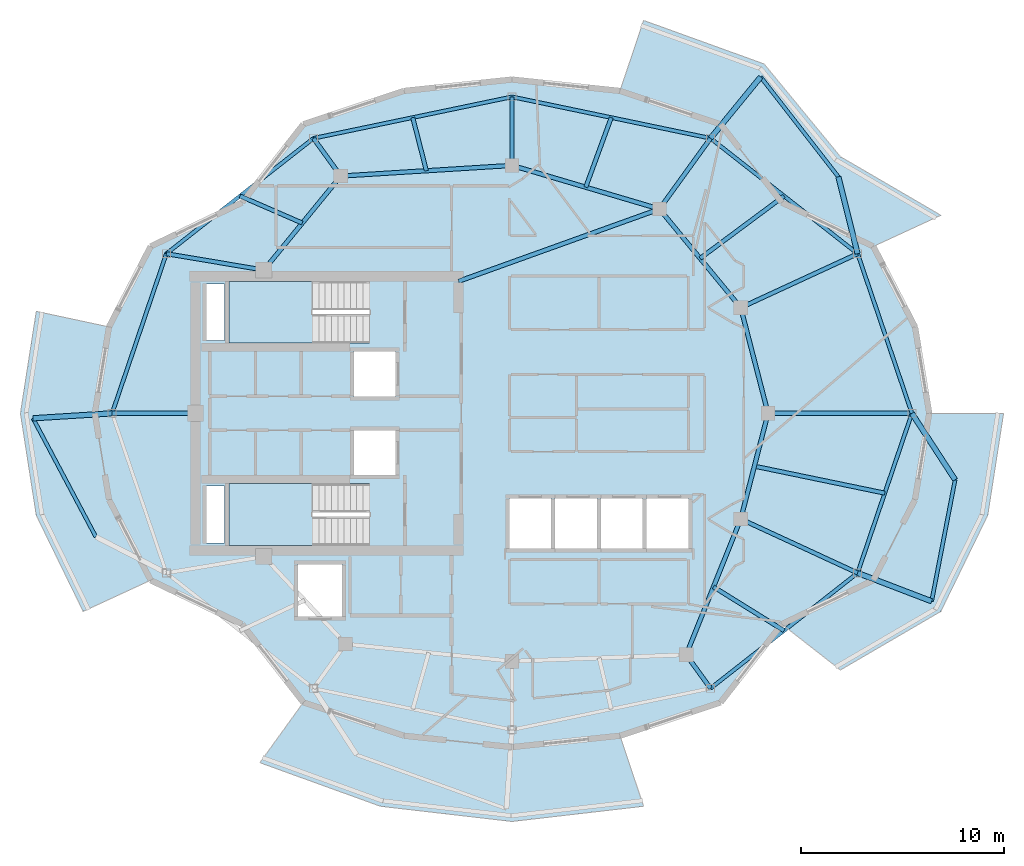
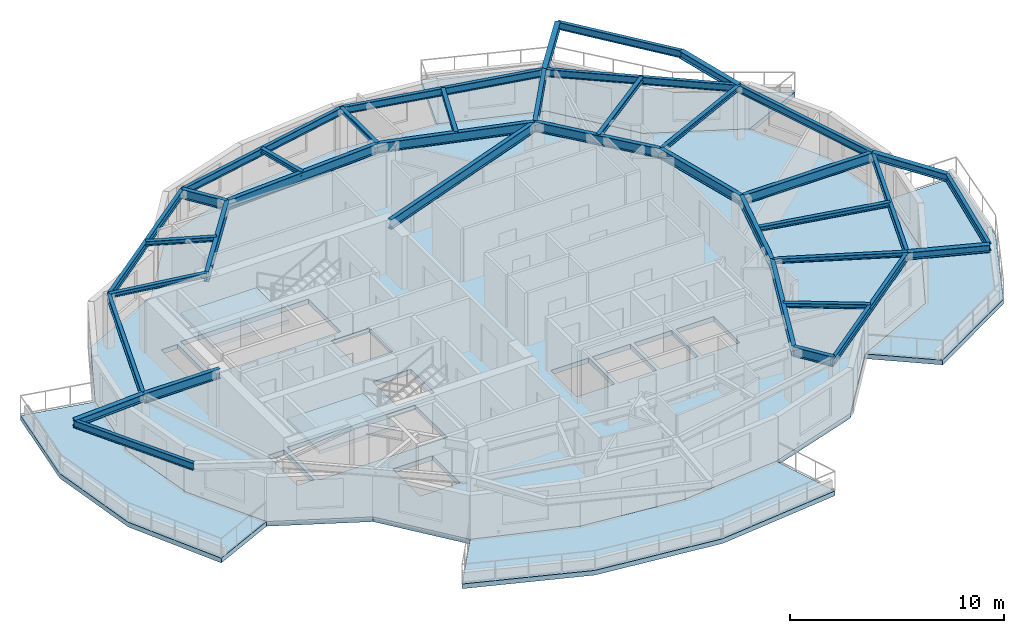
# One storey, part 2 of 11: 39 beams, 7 slabs, 2 elements without a shape of their own.
"""IFC4 building model written with IfcOpenShell, lengths in metres."""

import ifcopenshell
import ifcopenshell.guid

model = None  # the IFC model being written
_history = None  # IfcOwnerHistory: only IFC2X3 demands one
_inside = {}  # id of a spatial element -> (the spatial element, [elements in it])
_under = {}  # id of a project, library or spatial element -> (it, [spatial elements below it])
_declared = {}  # id of a project -> (the project, [libraries it declares])
_typed = {}  # id of a type object -> (the type object, [elements of that type])
_made_of = {}  # id of a material, layer set ... -> (it, [elements and type objects made of it])


def new_model(schema):
    """Start an empty IFC model of exactly this schema.

    Asked for "IFC4X3", IfcOpenShell would pick the latest addendum, in which some entities
    have other attributes; the version numbers below select the first issue.
    IFC2X3 requires an IfcOwnerHistory on every rooted entity: one is made here for all.
    """
    global model, _history
    if schema == "IFC4X3":
        model = ifcopenshell.file(schema_version=(4, 3, 0, 0))
    else:
        model = ifcopenshell.file(schema=schema)
    _inside.clear()
    _under.clear()
    _declared.clear()
    _typed.clear()
    _made_of.clear()
    _history = None
    if model.schema == "IFC2X3":
        org = make("IfcOrganization", Name="unknown")
        user = make(
            "IfcPersonAndOrganization",
            ThePerson=make("IfcPerson", FamilyName="unknown"),
            TheOrganization=org,
        )
        app = make(
            "IfcApplication",
            ApplicationDeveloper=org,
            Version="unknown",
            ApplicationFullName="unknown",
            ApplicationIdentifier="unknown",
        )
        _history = make(
            "IfcOwnerHistory",
            OwningUser=user,
            OwningApplication=app,
            ChangeAction="ADDED",
            CreationDate=0,
        )
    return model


def make(cls, **values):
    """One entity of the class cls with the attributes given. An attribute that is None is left unset."""
    return model.create_entity(
        cls, **{name: value for name, value in values.items() if value is not None}
    )


def rooted(cls, **values):
    """An entity with a GlobalId (a new one), such as an element, a storey or a relation."""
    return make(cls, GlobalId=ifcopenshell.guid.new(), OwnerHistory=_history, **values)


def si_unit(unit_type, name, prefix=None):
    """IfcSIUnit, for example si_unit("LENGTHUNIT", "METRE", prefix="MILLI")."""
    return make("IfcSIUnit", UnitType=unit_type, Prefix=prefix, Name=name)


def assignment(units):
    """IfcUnitAssignment: the units of a project."""
    return None if units is None else make("IfcUnitAssignment", Units=units)


def point(xyz):
    """IfcCartesianPoint."""
    return None if xyz is None else make("IfcCartesianPoint", Coordinates=xyz)


def direction(xyz):
    """IfcDirection."""
    return None if xyz is None else make("IfcDirection", DirectionRatios=xyz)


def frame(location, z_axis=None, x_axis=None):
    """IfcAxis2Placement3D, a coordinate frame: its origin and axes. An axis left out is left unset."""
    return make(
        "IfcAxis2Placement3D",
        Location=point(location),
        Axis=direction(z_axis),
        RefDirection=direction(x_axis),
    )


def frame_2d(location, x_axis=None):
    """IfcAxis2Placement2D, a coordinate frame in the plane: its origin and x axis."""
    return make(
        "IfcAxis2Placement2D", Location=point(location), RefDirection=direction(x_axis)
    )


def origin():
    """The frame at (0, 0, 0) with its axes left unset."""
    return frame((0.0, 0.0, 0.0))


def origin_2d():
    """The frame at (0, 0) in the plane with its x axis left unset."""
    return frame_2d((0.0, 0.0))


def place(relative_to, where):
    """IfcLocalPlacement: puts the frame where relative to a parent placement (None: the world)."""
    return make(
        "IfcLocalPlacement", PlacementRelTo=relative_to, RelativePlacement=where
    )


def context(
    kind, dimensions, precision=None, world=None, true_north=None, identifier=None
):
    """IfcGeometricRepresentationContext, for example the 3D "Model" context."""
    return make(
        "IfcGeometricRepresentationContext",
        ContextIdentifier=identifier,
        ContextType=kind,
        CoordinateSpaceDimension=dimensions,
        Precision=precision,
        WorldCoordinateSystem=world,
        TrueNorth=true_north,
    )


def subcontext(parent, identifier, kind, view, scale=None):
    """IfcGeometricRepresentationSubContext, for example "Body" below "Model"."""
    return make(
        "IfcGeometricRepresentationSubContext",
        ContextIdentifier=identifier,
        ContextType=kind,
        ParentContext=parent,
        TargetScale=scale,
        TargetView=view,
    )


def project(units=None, contexts=None):
    """IfcProject with its units and contexts."""
    return rooted(
        "IfcProject",
        Name="project",
        RepresentationContexts=contexts,
        UnitsInContext=assignment(units),
    )


def spatial(cls, under=None, at=None, **own):
    """A site, building, storey or space (cls), placed at a placement, below another one or the project."""
    s = rooted(cls, ObjectPlacement=at, **own)
    if under is not None:
        _under.setdefault(under.id(), (under, []))[1].append(s)
    return s


def polyline(points):
    """IfcPolyline through the points."""
    return make("IfcPolyline", Points=[point(p) for p in points])


def profile(cls, at=None, kind="AREA", **sizes):
    """A parametric profile (cls). Its sizes go by their IFC names, for example OverallWidth=200.0."""
    return make(cls, ProfileType=kind, Position=at, **sizes)


def i_section(**sizes):
    """IfcIShapeProfileDef."""
    return profile("IfcIShapeProfileDef", **sizes)


def outline(outer, holes=None, kind="AREA"):
    """IfcArbitraryClosedProfileDef: a profile drawn as a closed curve; with holes, ...WithVoids."""
    if holes is None:
        return make("IfcArbitraryClosedProfileDef", ProfileType=kind, OuterCurve=outer)
    return make(
        "IfcArbitraryProfileDefWithVoids",
        ProfileType=kind,
        OuterCurve=outer,
        InnerCurves=holes,
    )


def extrude(swept, where, along, depth):
    """IfcExtrudedAreaSolid: the profile swept, set in the frame where, extruded along a direction by depth."""
    return make(
        "IfcExtrudedAreaSolid",
        SweptArea=swept,
        Position=where,
        ExtrudedDirection=direction(along),
        Depth=depth,
    )


def shape(context_of_items, identifier, shape_type, items):
    """IfcShapeRepresentation: the items that make up one representation, for example the "Body"."""
    return make(
        "IfcShapeRepresentation",
        ContextOfItems=context_of_items,
        RepresentationIdentifier=identifier,
        RepresentationType=shape_type,
        Items=items,
    )


def material(Name=None, Category=None):
    """IfcMaterial."""
    return make("IfcMaterial", Name=Name, Category=Category)


def layer(
    of_material, thickness, ventilated=None, Name=None, Category=None, Priority=None
):
    """IfcMaterialLayer: one layer of a wall or slab, of a material (None: an air gap)."""
    return make(
        "IfcMaterialLayer",
        Material=of_material,
        LayerThickness=thickness,
        IsVentilated=ventilated,
        Name=Name,
        Category=Category,
        Priority=Priority,
    )


def layer_set(layers, Name=None):
    """IfcMaterialLayerSet."""
    return make("IfcMaterialLayerSet", MaterialLayers=layers, LayerSetName=Name)


def material_profile(
    of_material, cross_section, Name=None, Category=None, Priority=None
):
    """IfcMaterialProfile: a cross section and its material."""
    return make(
        "IfcMaterialProfile",
        Name=Name,
        Material=of_material,
        Profile=cross_section,
        Priority=Priority,
        Category=Category,
    )


def profile_set(profiles, Name=None, composite=None):
    """IfcMaterialProfileSet."""
    return make(
        "IfcMaterialProfileSet",
        Name=Name,
        MaterialProfiles=profiles,
        CompositeProfile=composite,
    )


def made_of(thing, what):
    """Note that an element or type object is made of a material, layer set ...; save() writes the relation."""
    if what is not None:
        _made_of.setdefault(what.id(), (what, []))[1].append(thing)
    return thing


def type_object(cls, material=None, **own):
    """A type object (cls), such as IfcWallType, which elements share."""
    return made_of(rooted(cls, **own), material)


def element(
    cls,
    number,
    at=None,
    inside=None,
    cuts=None,
    type_object=None,
    material=None,
    context=None,
    identifier="Body",
    shape_type=None,
    held_by="IfcProductDefinitionShape",
    body=None,
    shapes=None,
    **own,
):
    """One element of the class cls, such as IfcWall. Its Tag is "e" and its number.

    at: its placement. inside: the storey or other place that contains it. cuts: it is an
    opening in that element (IfcRelVoidsElement). A single representation is given by context,
    identifier, shape_type and body (its items); several are given by shapes. held_by: the class
    of the entity that holds the representations. save() writes the other relations.
    """
    e = rooted(cls, Tag="e%d" % number, ObjectPlacement=at, **own)
    if body is not None:
        shapes = [shape(context, identifier, shape_type, body)]
    if shapes is not None:
        e.Representation = make(held_by, Representations=shapes)
    if inside is not None:
        _inside.setdefault(inside.id(), (inside, []))[1].append(e)
    if cuts is not None:
        rooted(
            "IfcRelVoidsElement", RelatingBuildingElement=cuts, RelatedOpeningElement=e
        )
    if type_object is not None:
        _typed.setdefault(type_object.id(), (type_object, []))[1].append(e)
    return made_of(e, material)


def aggregate(whole, parts):
    """IfcRelAggregates: a whole, such as a stair, and the parts it consists of."""
    return rooted("IfcRelAggregates", RelatingObject=whole, RelatedObjects=parts)


def save(model, path):
    """Write the relations noted so far, then the file.

    IfcRelAggregates (storeys below a building ...), IfcRelContainedInSpatialStructure (elements
    in a storey), IfcRelDefinesByType, IfcRelAssociatesMaterial and IfcRelDeclares: one each for
    every whole, place, type object, material and project.
    """
    for whole, parts in _under.values():
        aggregate(whole, parts)
    for where, things in _inside.values():
        rooted(
            "IfcRelContainedInSpatialStructure",
            RelatedElements=things,
            RelatingStructure=where,
        )
    for kind, things in _typed.values():
        rooted("IfcRelDefinesByType", RelatedObjects=things, RelatingType=kind)
    for what, things in _made_of.values():
        rooted("IfcRelAssociatesMaterial", RelatedObjects=things, RelatingMaterial=what)
    for by, libraries in _declared.values():
        rooted("IfcRelDeclares", RelatingContext=by, RelatedDefinitions=libraries)
    model.write(path)


model = new_model("IFC4")

# Units and contexts
model_context = context("Model", 3, precision=1e-05, world=origin(), true_north=direction((0.0, 1.0)))
body_context = subcontext(model_context, "Body", "Model", "MODEL_VIEW")
ifc_project = project(units=[si_unit("LENGTHUNIT", "METRE"), si_unit("AREAUNIT", "SQUARE_METRE"), si_unit("VOLUMEUNIT", "CUBIC_METRE"), si_unit("PLANEANGLEUNIT", "RADIAN"), si_unit("MASSUNIT", "GRAM", prefix="KILO")], contexts=[model_context])

# Site, building, storey
site_placement = place(None, origin())
site = spatial("IfcSite", under=ifc_project, at=site_placement, CompositionType="ELEMENT")
building_placement = place(site_placement, origin())
building = spatial("IfcBuilding", under=site, at=building_placement, Name="Kolvaren Gate Tower and Convention Centre", CompositionType="ELEMENT")
storey_placement = place(building_placement, frame((0.0, 0.0, 262.39990234375)))
storey = spatial("IfcBuildingStorey", under=building, at=storey_placement, Name="L71", CompositionType="ELEMENT", Elevation=262.39990234375)

# Beams
ifc_material_1 = material(Name="Structural steel ASTM A992 Grade 345 MPa", Category="steel")
ifc_material_profile_1 = material_profile(ifc_material_1, i_section(OverallWidth=0.260009765625, OverallDepth=0.419921875, WebThickness=0.013427734375, FlangeThickness=0.0224609375, at=origin_2d()), Name="W410X132")
ifc_profile_set_1 = profile_set([ifc_material_profile_1], Name="Structural steel ASTM A992 Grade 345 MPa")
beam_type_1 = type_object("IfcBeamType", Name="STR-BM-W410X132", PredefinedType="BEAM", material=ifc_profile_set_1)
beam_1_placement = place(storey_placement, frame((47.1337890625, 34.856201171875, 2.820556640625), z_axis=(-0.243021682146, 0.97002085648, 0.0), x_axis=(-0.97002085648, -0.243021682146, 0.0)))
element("IfcBeam", 1, at=beam_1_placement, inside=storey, type_object=beam_type_1, Name="Tower L72 Planted Balcony Outrigger Cantilever BC-1A", PredefinedType="BEAM", context=body_context, shape_type="SweptSolid", body=[
    extrude(i_section(OverallWidth=0.260009765625, OverallDepth=0.419921875, WebThickness=0.013427734375, FlangeThickness=0.0224609375, at=origin_2d()), origin(), (0.0, 0.0, 1.0), 3.89990234375),
])
beam_2_placement = place(storey_placement, frame((39.893310546875, 40.53515625, 2.820556640625), z_axis=(0.633305964055, 0.773901515629, 0.0), x_axis=(-0.773901515629, 0.633305964055, 0.0)))
element("IfcBeam", 2, at=beam_2_placement, inside=storey, type_object=beam_type_1, Name="Tower L72 Planted Balcony Outrigger Cantilever BC-1B", PredefinedType="BEAM", context=body_context, shape_type="SweptSolid", body=[
    extrude(i_section(OverallWidth=0.260009765625, OverallDepth=0.419921875, WebThickness=0.013427734375, FlangeThickness=0.0224609375, at=origin_2d()), origin(), (0.0, 0.0, 1.0), 3.900146484375),
])
for number, where, z_axis, x_axis, name in (
    (3, (10.44384765625, 27.0, 2.820556640625), (-0.998046484143, -0.062475719198, 0.0), (0.062475719198, -0.998046484143, 0.0), "Tower L72 Planted Balcony Outrigger Cantilever BC-2A"),
    (4, (47.1337890625, 19.143798828125, 2.820556640625), (0.933954141343, -0.35739286768, 0.0), (0.35739286768, 0.933954141343, 0.0), "Tower L72 Planted Balcony Outrigger Cantilever BC-4A"),
):
    element("IfcBeam", number, at=place(storey_placement, frame(where, z_axis=z_axis, x_axis=x_axis)), inside=storey, type_object=beam_type_1, Name=name, PredefinedType="BEAM", context=body_context, shape_type="SweptSolid", body=[
        extrude(i_section(OverallWidth=0.260009765625, OverallDepth=0.419921875, WebThickness=0.013427734375, FlangeThickness=0.0224609375, at=origin_2d()), origin(), (0.0, 0.0, 1.0), 3.89990234375),
    ])
beam_3_placement = place(storey_placement, frame((49.80615234375, 27.0, 2.820556640625), z_axis=(0.544794709784, -0.838569451024, 0.0), x_axis=(0.838569451024, 0.544794709784, 0.0)))
element("IfcBeam", 5, at=beam_3_placement, inside=storey, type_object=beam_type_1, Name="Tower L72 Planted Balcony Outrigger Cantilever BC-4B", PredefinedType="BEAM", context=body_context, shape_type="SweptSolid", body=[
    extrude(i_section(OverallWidth=0.260009765625, OverallDepth=0.419921875, WebThickness=0.013427734375, FlangeThickness=0.0224609375, at=origin_2d()), origin(), (0.0, 0.0, 1.0), 3.900146484375),
])
ifc_material_profile_2 = material_profile(ifc_material_1, i_section(OverallWidth=0.2119140625, OverallDepth=0.5439453125, WebThickness=0.01318359375, FlangeThickness=0.021240234375, at=origin_2d()), Name="W530X123")
ifc_profile_set_2 = profile_set([ifc_material_profile_2], Name="Structural steel ASTM A992 Grade 345 MPa")
beam_type_2 = type_object("IfcBeamType", Name="STR-BM-W530X123", PredefinedType="BEAM", material=ifc_profile_set_2)
beam_4_placement = place(storey_placement, frame((42.72509765625, 27.0, 2.758056640625), z_axis=(-0.250091133936, -0.968222301296, 0.0), x_axis=(0.968222301296, -0.250091133936, 0.0)))
element("IfcBeam", 6, at=beam_4_placement, inside=storey, type_object=beam_type_2, Name="Tower L71 Primary Ring Girder G-01", PredefinedType="BEAM", context=body_context, shape_type="SweptSolid", body=[
    extrude(i_section(OverallWidth=0.2119140625, OverallDepth=0.5439453125, WebThickness=0.01318359375, FlangeThickness=0.021240234375, at=origin_2d()), origin(), (0.0, 0.0, 1.0), 5.3701171875),
])
beam_5_placement = place(storey_placement, frame((41.382080078125, 32.199462890625, 2.758056640625), z_axis=(-0.635884066011, 0.771784590798, 0.0), x_axis=(-0.771784590798, -0.635884066011, 0.0)))
element("IfcBeam", 7, at=beam_5_placement, inside=storey, type_object=beam_type_2, Name="Tower L71 Primary Ring Girder G-02", PredefinedType="BEAM", context=body_context, shape_type="SweptSolid", body=[
    extrude(i_section(OverallWidth=0.2119140625, OverallDepth=0.5439453125, WebThickness=0.01318359375, FlangeThickness=0.021240234375, at=origin_2d()), origin(), (0.0, 0.0, 1.0), 6.291259765625),
])
beam_6_placement = place(storey_placement, frame((37.381591796875, 37.054931640625, 2.758056640625), z_axis=(-0.958980837827, 0.283470902706, 0.0), x_axis=(-0.283470902706, -0.958980837827, 0.0)))
element("IfcBeam", 8, at=beam_6_placement, inside=storey, type_object=beam_type_2, Name="Tower L71 Primary Ring Girder G-03", PredefinedType="BEAM", context=body_context, shape_type="SweptSolid", body=[
    extrude(i_section(OverallWidth=0.2119140625, OverallDepth=0.5439453125, WebThickness=0.01318359375, FlangeThickness=0.021240234375, at=origin_2d()), origin(), (0.0, 0.0, 1.0), 7.56689453125),
])
beam_7_placement = place(storey_placement, frame((30.125, 39.199951171875, 2.758056640625), z_axis=(-0.998078258568, -0.06196603726, 0.0), x_axis=(0.06196603726, -0.998078258568, 0.0)))
element("IfcBeam", 9, at=beam_7_placement, inside=storey, type_object=beam_type_2, Name="Tower L71 Primary Ring Girder G-04", PredefinedType="BEAM", context=body_context, shape_type="SweptSolid", body=[
    extrude(i_section(OverallWidth=0.2119140625, OverallDepth=0.5439453125, WebThickness=0.01318359375, FlangeThickness=0.021240234375, at=origin_2d()), origin(), (0.0, 0.0, 1.0), 8.443115234375),
])
beam_8_placement = place(storey_placement, frame((21.697998046875, 38.6767578125, 2.758056640625), z_axis=(-0.633082074904, -0.774084676528, 0.0), x_axis=(0.774084676528, -0.633082074904, 0.0)))
element("IfcBeam", 10, at=beam_8_placement, inside=storey, type_object=beam_type_2, Name="Tower L71 Primary Ring Girder G-05", PredefinedType="BEAM", context=body_context, shape_type="SweptSolid", body=[
    extrude(i_section(OverallWidth=0.2119140625, OverallDepth=0.5439453125, WebThickness=0.01318359375, FlangeThickness=0.021240234375, at=origin_2d()), origin(), (0.0, 0.0, 1.0), 5.97705078125),
])
beam_9_placement = place(storey_placement, frame((38.6982421875, 15.12060546875, 2.758056640625), z_axis=(0.372811100169, 0.927907260232, 0.0), x_axis=(-0.927907260232, 0.372811100169, 0.0)))
element("IfcBeam", 11, at=beam_9_placement, inside=storey, type_object=beam_type_2, Name="Tower L71 Primary Ring Girder G-09", PredefinedType="BEAM", context=body_context, shape_type="SweptSolid", body=[
    extrude(i_section(OverallWidth=0.2119140625, OverallDepth=0.5439453125, WebThickness=0.01318359375, FlangeThickness=0.021240234375, at=origin_2d()), origin(), (0.0, 0.0, 1.0), 7.198974609375),
])
beam_10_placement = place(storey_placement, frame((27.5, 33.5, 2.758056640625), z_axis=(0.940961479908, 0.338513653093, 0.0), x_axis=(-0.338513653093, 0.940961479908, 0.0)))
element("IfcBeam", 12, at=beam_10_placement, inside=storey, type_object=beam_type_2, Name="Tower L71 Primary Ring Girder G-10", PredefinedType="BEAM", context=body_context, shape_type="SweptSolid", body=[
    extrude(i_section(OverallWidth=0.2119140625, OverallDepth=0.5439453125, WebThickness=0.01318359375, FlangeThickness=0.021240234375, at=origin_2d()), origin(), (0.0, 0.0, 1.0), 10.501708984375),
])
beam_11_placement = place(storey_placement, frame((42.72509765625, 27.0, 2.758056640625), z_axis=(-0.250091133936, 0.968222301296, 0.0), x_axis=(-0.968222301296, -0.250091133936, 0.0)))
element("IfcBeam", 13, at=beam_11_placement, inside=storey, type_object=beam_type_2, Name="Tower L71 Primary Ring Girder G-12", PredefinedType="BEAM", context=body_context, shape_type="SweptSolid", body=[
    extrude(i_section(OverallWidth=0.2119140625, OverallDepth=0.5439453125, WebThickness=0.01318359375, FlangeThickness=0.021240234375, at=origin_2d()), origin(), (0.0, 0.0, 1.0), 5.3701171875),
])
beam_12_placement = place(storey_placement, frame((42.72509765625, 27.0, 2.758056640625), z_axis=(1.0, 0.0, 0.0), x_axis=(0.0, 1.0, 0.0)))
element("IfcBeam", 14, at=beam_12_placement, inside=storey, type_object=beam_type_2, Name="Tower L71 Radial Floor Girder RB-01", PredefinedType="BEAM", context=body_context, shape_type="SweptSolid", body=[
    extrude(i_section(OverallWidth=0.2119140625, OverallDepth=0.5439453125, WebThickness=0.01318359375, FlangeThickness=0.021240234375, at=origin_2d()), origin(), (0.0, 0.0, 1.0), 7.0810546875),
])
beam_13_placement = place(storey_placement, frame((37.381591796875, 37.054931640625, 2.758056640625), z_axis=(0.585218448818, 0.810875679228, 0.0), x_axis=(-0.810875679228, 0.585218448818, 0.0)))
element("IfcBeam", 15, at=beam_13_placement, inside=storey, type_object=beam_type_2, Name="Tower L71 Radial Floor Girder RB-03", PredefinedType="BEAM", context=body_context, shape_type="SweptSolid", body=[
    extrude(i_section(OverallWidth=0.2119140625, OverallDepth=0.5439453125, WebThickness=0.01318359375, FlangeThickness=0.021240234375, at=origin_2d()), origin(), (0.0, 0.0, 1.0), 4.2919921875),
])
beam_14_placement = place(storey_placement, frame((21.697998046875, 38.6767578125, 2.758056640625), z_axis=(-0.585241610653, 0.810858962558, 0.0), x_axis=(-0.810858962558, -0.585241610653, 0.0)))
element("IfcBeam", 16, at=beam_14_placement, inside=storey, type_object=beam_type_2, Name="Tower L71 Radial Floor Girder RB-05", PredefinedType="BEAM", context=body_context, shape_type="SweptSolid", body=[
    extrude(i_section(OverallWidth=0.2119140625, OverallDepth=0.5439453125, WebThickness=0.01318359375, FlangeThickness=0.021240234375, at=origin_2d()), origin(), (0.0, 0.0, 1.0), 2.2919921875),
])
beam_15_placement = place(storey_placement, frame((14.550048828125, 27.0, 2.758056640625), z_axis=(-1.0, 0.0, 0.0), x_axis=(0.0, -1.0, 0.0)))
element("IfcBeam", 17, at=beam_15_placement, inside=storey, type_object=beam_type_2, Name="Tower L71 Radial Floor Girder RB-07", PredefinedType="BEAM", context=body_context, shape_type="SweptSolid", body=[
    extrude(i_section(OverallWidth=0.2119140625, OverallDepth=0.5439453125, WebThickness=0.01318359375, FlangeThickness=0.021240234375, at=origin_2d()), origin(), (0.0, 0.0, 1.0), 4.106201171875),
])
beam_16_placement = place(storey_placement, frame((38.6982421875, 15.12060546875, 2.758056640625), z_axis=(0.585246071944, -0.810855742579, 0.0), x_axis=(0.810855742579, 0.585246071944, 0.0)))
element("IfcBeam", 18, at=beam_16_placement, inside=storey, type_object=beam_type_2, Name="Tower L71 Radial Floor Girder RB-11", PredefinedType="BEAM", context=body_context, shape_type="SweptSolid", body=[
    extrude(i_section(OverallWidth=0.2119140625, OverallDepth=0.5439453125, WebThickness=0.01318359375, FlangeThickness=0.021240234375, at=origin_2d()), origin(), (0.0, 0.0, 1.0), 2.0419921875),
])
ifc_material_profile_3 = material_profile(ifc_material_1, i_section(OverallWidth=0.202880859375, OverallDepth=0.251953125, WebThickness=0.008056640625, FlangeThickness=0.013427734375, at=origin_2d()), Name="W250X58")
ifc_profile_set_3 = profile_set([ifc_material_profile_3], Name="Structural steel ASTM A992 Grade 345 MPa")
beam_type_3 = type_object("IfcBeamType", Name="STR-JS-W250X58", PredefinedType="JOIST", material=ifc_profile_set_3)
beam_17_placement = place(storey_placement, frame((41.382080078125, 32.199462890625, 2.904052734375), z_axis=(0.907833025456, 0.41933184698, 0.0), x_axis=(-0.41933184698, 0.907833025456, 0.0)))
element("IfcBeam", 19, at=beam_17_placement, inside=storey, type_object=beam_type_3, Name="Tower L71 Radial Floor Girder RB-02", PredefinedType="JOIST", context=body_context, shape_type="SweptSolid", body=[
    extrude(i_section(OverallWidth=0.202880859375, OverallDepth=0.251953125, WebThickness=0.008056640625, FlangeThickness=0.013427734375, at=origin_2d()), origin(), (0.0, 0.0, 1.0), 6.335693359375),
])
beam_18_placement = place(storey_placement, frame((30.125, 39.199951171875, 2.904052734375), z_axis=(0.0, 1.0, 0.0), x_axis=(-1.0, 0.0, 0.0)))
element("IfcBeam", 20, at=beam_18_placement, inside=storey, type_object=beam_type_3, Name="Tower L71 Radial Floor Girder RB-04", PredefinedType="JOIST", context=body_context, shape_type="SweptSolid", body=[
    extrude(i_section(OverallWidth=0.202880859375, OverallDepth=0.251953125, WebThickness=0.008056640625, FlangeThickness=0.013427734375, at=origin_2d()), origin(), (0.0, 0.0, 1.0), 3.375),
])
beam_19_placement = place(storey_placement, frame((17.9140625, 34.050048828125, 2.904052734375), z_axis=(-0.986176061403, 0.165700862749, 0.0), x_axis=(-0.165700862749, -0.986176061403, 0.0)))
element("IfcBeam", 21, at=beam_19_placement, inside=storey, type_object=beam_type_3, Name="Tower L71 Radial Floor Girder RB-06", PredefinedType="JOIST", context=body_context, shape_type="SweptSolid", body=[
    extrude(i_section(OverallWidth=0.202880859375, OverallDepth=0.251953125, WebThickness=0.008056640625, FlangeThickness=0.013427734375, at=origin_2d()), origin(), (0.0, 0.0, 1.0), 4.864990234375),
])
beam_20_placement = place(storey_placement, frame((41.382080078125, 21.800537109375, 2.904052734375), z_axis=(0.907833025456, -0.41933184698, 0.0), x_axis=(0.41933184698, 0.907833025456, 0.0)))
element("IfcBeam", 22, at=beam_20_placement, inside=storey, type_object=beam_type_3, Name="Tower L71 Radial Floor Girder RB-12", PredefinedType="JOIST", context=body_context, shape_type="SweptSolid", body=[
    extrude(i_section(OverallWidth=0.202880859375, OverallDepth=0.251953125, WebThickness=0.008056640625, FlangeThickness=0.013427734375, at=origin_2d()), origin(), (0.0, 0.0, 1.0), 6.335693359375),
])
beam_21_placement = place(storey_placement, frame((39.3818359375, 34.627197265625, 2.904052734375), z_axis=(0.802797696216, 0.596251506455, 0.0), x_axis=(-0.596251506455, 0.802797696216, 0.0)))
element("IfcBeam", 23, at=beam_21_placement, inside=storey, type_object=beam_type_3, Name="Tower L71 Secondary Composite Floor Joist J-02.1", PredefinedType="JOIST", context=body_context, shape_type="SweptSolid", body=[
    extrude(i_section(OverallWidth=0.202880859375, OverallDepth=0.251953125, WebThickness=0.008056640625, FlangeThickness=0.013427734375, at=origin_2d()), origin(), (0.0, 0.0, 1.0), 5.146484375),
])
beam_22_placement = place(storey_placement, frame((33.75341796875, 38.12744140625, 2.904052734375), z_axis=(0.343959865764, 0.938984350638, 0.0), x_axis=(-0.938984350638, 0.343959865764, 0.0)))
element("IfcBeam", 24, at=beam_22_placement, inside=storey, type_object=beam_type_3, Name="Tower L71 Secondary Composite Floor Joist J-03.1", PredefinedType="JOIST", context=body_context, shape_type="SweptSolid", body=[
    extrude(i_section(OverallWidth=0.202880859375, OverallDepth=0.251953125, WebThickness=0.008056640625, FlangeThickness=0.013427734375, at=origin_2d()), origin(), (0.0, 0.0, 1.0), 3.650390625),
])
beam_23_placement = place(storey_placement, frame((25.91162109375, 38.938232421875, 2.904052734375), z_axis=(-0.248251414505, 0.968695635995, 0.0), x_axis=(-0.968695635995, -0.248251414505, 0.0)))
element("IfcBeam", 25, at=beam_23_placement, inside=storey, type_object=beam_type_3, Name="Tower L71 Secondary Composite Floor Joist J-04.1", PredefinedType="JOIST", context=body_context, shape_type="SweptSolid", body=[
    extrude(i_section(OverallWidth=0.202880859375, OverallDepth=0.251953125, WebThickness=0.008056640625, FlangeThickness=0.013427734375, at=origin_2d()), origin(), (0.0, 0.0, 1.0), 2.701416015625),
])
beam_24_placement = place(storey_placement, frame((19.805908203125, 36.36328125, 2.904052734375), z_axis=(-0.917285677822, 0.398229814632, 0.0), x_axis=(-0.398229814632, -0.917285677822, 0.0)))
element("IfcBeam", 26, at=beam_24_placement, inside=storey, type_object=beam_type_3, Name="Tower L71 Secondary Composite Floor Joist J-05.1", PredefinedType="JOIST", context=body_context, shape_type="SweptSolid", body=[
    extrude(i_section(OverallWidth=0.202880859375, OverallDepth=0.251953125, WebThickness=0.008056640625, FlangeThickness=0.013427734375, at=origin_2d()), origin(), (0.0, 0.0, 1.0), 3.34619140625),
])
beam_25_placement = place(storey_placement, frame((40.040283203125, 18.46044921875, 2.904052734375), z_axis=(0.849584798243, -0.527452055257, 0.0), x_axis=(0.527452055257, 0.849584798243, 0.0)))
element("IfcBeam", 27, at=beam_25_placement, inside=storey, type_object=beam_type_3, Name="Tower L71 Secondary Composite Floor Joist J-11.1", PredefinedType="JOIST", context=body_context, shape_type="SweptSolid", body=[
    extrude(i_section(OverallWidth=0.202880859375, OverallDepth=0.251953125, WebThickness=0.008056640625, FlangeThickness=0.013427734375, at=origin_2d()), origin(), (0.0, 0.0, 1.0), 4.088134765625),
])
beam_26_placement = place(storey_placement, frame((42.0537109375, 24.400146484375, 2.904052734375), z_axis=(0.97924155137, -0.20269677864, 0.0), x_axis=(0.20269677864, 0.97924155137, 0.0)))
element("IfcBeam", 28, at=beam_26_placement, inside=storey, type_object=beam_type_3, Name="Tower L71 Secondary Composite Floor Joist J-12.1", PredefinedType="JOIST", context=body_context, shape_type="SweptSolid", body=[
    extrude(i_section(OverallWidth=0.202880859375, OverallDepth=0.251953125, WebThickness=0.008056640625, FlangeThickness=0.013427734375, at=origin_2d()), origin(), (0.0, 0.0, 1.0), 6.55224609375),
])
ifc_material_profile_4 = material_profile(ifc_material_1, i_section(OverallWidth=0.180908203125, OverallDepth=0.4169921875, WebThickness=0.010986328125, FlangeThickness=0.018310546875, at=origin_2d()), Name="W410X85")
ifc_profile_set_4 = profile_set([ifc_material_profile_4], Name="Structural steel ASTM A992 Grade 345 MPa")
beam_type_4 = type_object("IfcBeamType", Name="STR-SP-W410X85", PredefinedType="SPANDREL", material=ifc_profile_set_4)
beam_27_placement = place(storey_placement, frame((49.80615234375, 27.0, 2.821533203125), z_axis=(-0.322038282171, 0.946726647357, 0.0), x_axis=(-0.946726647357, -0.322038282171, 0.0)))
element("IfcBeam", 29, at=beam_27_placement, inside=storey, type_object=beam_type_4, Name="Tower L71 Perimeter Spandrel Beam SP-01", PredefinedType="SPANDREL", context=body_context, shape_type="SweptSolid", body=[
    extrude(i_section(OverallWidth=0.180908203125, OverallDepth=0.4169921875, WebThickness=0.010986328125, FlangeThickness=0.018310546875, at=origin_2d()), origin(), (0.0, 0.0, 1.0), 8.29833984375),
])
beam_28_placement = place(storey_placement, frame((47.1337890625, 34.856201171875, 2.821533203125), z_axis=(-0.786845586039, 0.61714991998, 0.0), x_axis=(-0.61714991998, -0.786845586039, 0.0)))
element("IfcBeam", 30, at=beam_28_placement, inside=storey, type_object=beam_type_4, Name="Tower L71 Perimeter Spandrel Beam SP-02", PredefinedType="SPANDREL", context=body_context, shape_type="SweptSolid", body=[
    extrude(i_section(OverallWidth=0.180908203125, OverallDepth=0.4169921875, WebThickness=0.010986328125, FlangeThickness=0.018310546875, at=origin_2d()), origin(), (0.0, 0.0, 1.0), 9.201904296875),
])
for number, where, z_axis, x_axis, name in (
    (31, (39.893310546875, 40.53515625, 2.821533203125), (-0.978885668593, 0.204408531681, 0.0), (-0.204408531681, -0.978885668593, 0.0), "Tower L71 Perimeter Spandrel Beam SP-03"),
    (32, (30.125, 42.574951171875, 2.821533203125), (-0.978885668593, -0.204408531681, 0.0), (0.204408531681, -0.978885668593, 0.0), "Tower L71 Perimeter Spandrel Beam SP-04"),
):
    element("IfcBeam", number, at=place(storey_placement, frame(where, z_axis=z_axis, x_axis=x_axis)), inside=storey, type_object=beam_type_4, Name=name, PredefinedType="SPANDREL", context=body_context, shape_type="SweptSolid", body=[
        extrude(i_section(OverallWidth=0.180908203125, OverallDepth=0.4169921875, WebThickness=0.010986328125, FlangeThickness=0.018310546875, at=origin_2d()), origin(), (0.0, 0.0, 1.0), 9.97900390625),
    ])
beam_29_placement = place(storey_placement, frame((20.356689453125, 40.53515625, 2.821533203125), z_axis=(-0.786845586039, -0.61714991998, 0.0), x_axis=(0.61714991998, -0.786845586039, 0.0)))
element("IfcBeam", 33, at=beam_29_placement, inside=storey, type_object=beam_type_4, Name="Tower L71 Perimeter Spandrel Beam SP-05", PredefinedType="SPANDREL", context=body_context, shape_type="SweptSolid", body=[
    extrude(i_section(OverallWidth=0.180908203125, OverallDepth=0.4169921875, WebThickness=0.010986328125, FlangeThickness=0.018310546875, at=origin_2d()), origin(), (0.0, 0.0, 1.0), 9.201904296875),
])
beam_30_placement = place(storey_placement, frame((13.1162109375, 34.856201171875, 2.821533203125), z_axis=(-0.322038282171, -0.946726647357, 0.0), x_axis=(0.946726647357, -0.322038282171, 0.0)))
element("IfcBeam", 34, at=beam_30_placement, inside=storey, type_object=beam_type_4, Name="Tower L71 Perimeter Spandrel Beam SP-06", PredefinedType="SPANDREL", context=body_context, shape_type="SweptSolid", body=[
    extrude(i_section(OverallWidth=0.180908203125, OverallDepth=0.4169921875, WebThickness=0.010986328125, FlangeThickness=0.018310546875, at=origin_2d()), origin(), (0.0, 0.0, 1.0), 8.29833984375),
])
beam_31_placement = place(storey_placement, frame((39.893310546875, 13.46484375, 2.821533203125), z_axis=(0.786845586039, 0.61714991998, 0.0), x_axis=(-0.61714991998, 0.786845586039, 0.0)))
element("IfcBeam", 35, at=beam_31_placement, inside=storey, type_object=beam_type_4, Name="Tower L71 Perimeter Spandrel Beam SP-11", PredefinedType="SPANDREL", context=body_context, shape_type="SweptSolid", body=[
    extrude(i_section(OverallWidth=0.180908203125, OverallDepth=0.4169921875, WebThickness=0.010986328125, FlangeThickness=0.018310546875, at=origin_2d()), origin(), (0.0, 0.0, 1.0), 9.201904296875),
])
beam_32_placement = place(storey_placement, frame((47.1337890625, 19.143798828125, 2.821533203125), z_axis=(0.322038282171, 0.946726647357, 0.0), x_axis=(-0.946726647357, 0.322038282171, 0.0)))
element("IfcBeam", 36, at=beam_32_placement, inside=storey, type_object=beam_type_4, Name="Tower L71 Perimeter Spandrel Beam SP-12", PredefinedType="SPANDREL", context=body_context, shape_type="SweptSolid", body=[
    extrude(i_section(OverallWidth=0.180908203125, OverallDepth=0.4169921875, WebThickness=0.010986328125, FlangeThickness=0.018310546875, at=origin_2d()), origin(), (0.0, 0.0, 1.0), 8.29833984375),
])
beam_33_placement = place(storey_placement, frame((46.18603515625, 38.63916015625, 2.822021484375), z_axis=(-0.613992191964, 0.7893120981, 0.0), x_axis=(-0.7893120981, -0.613992191964, 0.0)))
element("IfcBeam", 37, at=beam_33_placement, inside=storey, type_object=beam_type_4, Name="Tower L72 Planted Balcony Header Tie Beam BT-1", PredefinedType="SPANDREL", context=body_context, shape_type="SweptSolid", body=[
    extrude(i_section(OverallWidth=0.180908203125, OverallDepth=0.4169921875, WebThickness=0.010986328125, FlangeThickness=0.018310546875, at=origin_2d()), origin(), (0.0, 0.0, 1.0), 6.22607421875),
])
beam_34_placement = place(storey_placement, frame((6.551513671875, 26.75634765625, 2.822021484375), z_axis=(0.468677532084, -0.883369328718, 0.0), x_axis=(0.883369328718, 0.468677532084, 0.0)))
element("IfcBeam", 38, at=beam_34_placement, inside=storey, type_object=beam_type_4, Name="Tower L72 Planted Balcony Header Tie Beam BT-2", PredefinedType="SPANDREL", context=body_context, shape_type="SweptSolid", body=[
    extrude(i_section(OverallWidth=0.180908203125, OverallDepth=0.4169921875, WebThickness=0.010986328125, FlangeThickness=0.018310546875, at=origin_2d()), origin(), (0.0, 0.0, 1.0), 6.6025390625),
])
beam_35_placement = place(storey_placement, frame((50.776123046875, 17.75, 2.822021484375), z_axis=(0.189620519125, 0.981857453364, 0.0), x_axis=(-0.981857453364, 0.189620519125, 0.0)))
element("IfcBeam", 39, at=beam_35_placement, inside=storey, type_object=beam_type_4, Name="Tower L72 Planted Balcony Header Tie Beam BT-4", PredefinedType="SPANDREL", context=body_context, shape_type="SweptSolid", body=[
    extrude(i_section(OverallWidth=0.180908203125, OverallDepth=0.4169921875, WebThickness=0.010986328125, FlangeThickness=0.018310546875, at=origin_2d()), origin(), (0.0, 0.0, 1.0), 6.090087890625),
])

# Slabs
ifc_material_2 = material(Name="Concrete C50/60", Category="concrete")
ifc_layer_1 = layer(ifc_material_2, 0.27001953125)
ifc_layer_set_1 = layer_set([ifc_layer_1], Name="Concrete C50/60")
slab_type_1 = type_object("IfcSlabType", Name="STR-SL-BALC-270", PredefinedType="FLOOR", material=ifc_layer_set_1)
slab_1_placement = place(storey_placement, frame((0.0, 0.0, -0.27001953125)))
element("IfcSlab", 40, at=slab_1_placement, inside=storey, type_object=slab_type_1, Name="Tower L71 Planted Balcony Terrace Slab 1 (North)", PredefinedType="FLOOR", context=body_context, shape_type="SweptSolid", body=[
    extrude(outline(polyline([(47.905517578125, 35.21240234375), (43.40380859375, 37.37548828125), (40.390625, 41.224609375), (35.43896484375, 42.865234375), (36.601318359375, 46.335693359375), (42.532470703125, 44.1923828125), (46.287841796875, 39.62890625), (51.228271484375, 36.747314453125), (47.905517578125, 35.21240234375)])), origin(), (0.0, 0.0, 1.0), 0.27001953125),
])
slab_2_placement = place(storey_placement, frame((0.0, 0.0, -0.27001953125)))
element("IfcSlab", 41, at=slab_2_placement, inside=storey, type_object=slab_type_1, Name="Tower L71 Planted Balcony Terrace Slab 2 (West)", PredefinedType="FLOOR", context=body_context, shape_type="SweptSolid", body=[
    extrude(outline(polyline([(10.293212890625, 31.251220703125), (9.59375, 27.0), (10.293212890625, 22.748779296875), (12.344482421875, 18.78759765625), (9.021728515625, 17.252685546875), (6.714599609375, 21.981689453125), (5.933837890625, 27.0), (6.714599609375, 32.018310546875), (10.293212890625, 31.251220703125)])), origin(), (0.0, 0.0, 1.0), 0.27001953125),
])
slab_3_placement = place(storey_placement, frame((0.0, 0.0, -0.27001953125)))
element("IfcSlab", 42, at=slab_3_placement, inside=storey, type_object=slab_type_1, Name="Tower L71 Planted Balcony Terrace Slab 3 (South)", PredefinedType="FLOOR", context=body_context, shape_type="SweptSolid", body=[
    extrude(outline(polyline([(19.859375, 12.775390625), (24.81103515625, 11.134765625), (30.125, 10.574951171875), (35.43896484375, 11.134765625), (36.601318359375, 7.664306640625), (30.125, 6.9150390625), (23.648681640625, 7.664306640625), (17.717529296875, 9.8076171875), (19.859375, 12.775390625)])), origin(), (0.0, 0.0, 1.0), 0.27001953125),
])
slab_4_placement = place(storey_placement, frame((0.0, 0.0, -0.27001953125)))
element("IfcSlab", 43, at=slab_4_placement, inside=storey, type_object=slab_type_1, Name="Tower L71 Planted Balcony Terrace Slab 4 (East)", PredefinedType="FLOOR", context=body_context, shape_type="SweptSolid", body=[
    extrude(outline(polyline([(43.40380859375, 16.62451171875), (47.905517578125, 18.78759765625), (49.956787109375, 22.748779296875), (50.65625, 27.0), (54.316162109375, 27.0), (53.535400390625, 21.981689453125), (51.228271484375, 17.252685546875), (46.287841796875, 14.37109375), (43.40380859375, 16.62451171875)])), origin(), (0.0, 0.0, 1.0), 0.27001953125),
])
ifc_material_3 = material(Name="Concrete C40/50", Category="concrete")
ifc_layer_2 = layer(ifc_material_3, 0.27001953125)
ifc_layer_set_2 = layer_set([ifc_layer_2], Name="Concrete C40/50")
slab_type_2 = type_object("IfcSlabType", Name="STR-SL-FLR-270", PredefinedType="FLOOR", material=ifc_layer_set_2)
slab_5_placement = place(storey_placement, frame((0.0, 0.0, -0.27001953125)))
element("IfcSlab", 44, at=slab_5_placement, inside=storey, type_object=slab_type_2, Name="Tower L71 Structural Floor Slab", PredefinedType="FLOOR", context=body_context, shape_type="SweptSolid", body=[
    extrude(outline(polyline([(50.65625, 27.0), (49.95654296875, 31.251220703125), (47.905517578125, 35.21240234375), (43.40380859375, 37.37548828125), (40.390625, 41.224609375), (35.43896484375, 42.865234375), (30.125, 43.425048828125), (24.81103515625, 42.865234375), (19.859375, 41.224609375), (16.84619140625, 37.37548828125), (12.344482421875, 35.21240234375), (10.29345703125, 31.251220703125), (9.59375, 27.0), (10.29345703125, 22.748779296875), (12.344482421875, 18.78759765625), (16.84619140625, 16.62451171875), (19.859375, 12.775390625), (24.81103515625, 11.134765625), (30.125, 10.574951171875), (35.43896484375, 11.134765625), (40.390625, 12.775390625), (43.40380859375, 16.62451171875), (47.905517578125, 18.78759765625), (49.95654296875, 22.748779296875), (50.65625, 27.0)]), holes=[polyline([(36.75, 20.35009765625), (36.75, 22.800048828125), (38.800048828125, 22.800048828125), (38.800048828125, 20.35009765625), (36.75, 20.35009765625)]), polyline([(36.550048828125, 20.35009765625), (34.5, 20.35009765625), (34.5, 22.800048828125), (36.550048828125, 22.800048828125), (36.550048828125, 20.35009765625)]), polyline([(32.25, 20.35009765625), (32.25, 22.800048828125), (34.300048828125, 22.800048828125), (34.300048828125, 20.35009765625), (32.25, 20.35009765625)]), polyline([(30.0, 20.35009765625), (30.0, 22.800048828125), (32.050048828125, 22.800048828125), (32.050048828125, 20.35009765625), (30.0, 20.35009765625)]), polyline([(22.35009765625, 23.9599609375), (22.35009765625, 26.159912109375), (24.39990234375, 26.159912109375), (24.39990234375, 23.9599609375), (22.35009765625, 23.9599609375)]), polyline([(22.35009765625, 27.840087890625), (22.35009765625, 30.0400390625), (24.39990234375, 30.0400390625), (24.39990234375, 27.840087890625), (22.35009765625, 27.840087890625)]), polyline([(16.199951171875, 23.5400390625), (23.10009765625, 23.5400390625), (23.10009765625, 20.5), (16.199951171875, 20.5), (16.199951171875, 23.5400390625)]), polyline([(16.199951171875, 33.5), (23.10009765625, 33.5), (23.10009765625, 30.4599609375), (16.199951171875, 30.4599609375), (16.199951171875, 33.5)]), polyline([(21.75, 17.0), (19.60009765625, 17.0), (19.60009765625, 19.550048828125), (21.75, 19.550048828125), (21.75, 17.0)]), polyline([(15.080078125, 30.580078125), (15.080078125, 33.3701171875), (15.969970703125, 33.3701171875), (15.969970703125, 30.580078125), (15.080078125, 30.580078125)]), polyline([(15.969970703125, 20.6298828125), (15.080078125, 20.6298828125), (15.080078125, 23.419921875), (15.969970703125, 23.419921875), (15.969970703125, 20.6298828125)])]), origin(), (0.0, 0.0, 1.0), 0.27001953125),
])

# Stair, slab
stair_type = type_object("IfcStairType", Name="STR-STAIR-CORE", PredefinedType="HALF_TURN_STAIR", material=ifc_material_2)
stair_1_placement = place(storey_placement, origin())
stair_1 = element("IfcStair", 45, at=stair_1_placement, inside=storey, type_object=stair_type, Name="L71 Tower North Exit Stair ST-T1", PredefinedType="HALF_TURN_STAIR")
ifc_layer_3 = layer(ifc_material_2, 0.199951171875)
ifc_layer_set_3 = layer_set([ifc_layer_3], Name="Concrete C50/60")
slab_type_3 = type_object("IfcSlabType", Name="STR-SL-LAND-200", PredefinedType="LANDING", material=ifc_layer_set_3)
slab_6_placement = place(storey_placement, frame((0.0, 0.0, 1.4501953125)))
slab_6 = element("IfcSlab", 46, at=slab_6_placement, type_object=slab_type_3, Name="ST-T1 landing 1", PredefinedType="LANDING", context=body_context, shape_type="SweptSolid", body=[
    extrude(outline(polyline([(20.31005859375, 33.5), (16.199951171875, 33.5), (16.199951171875, 30.4599609375), (20.31005859375, 30.4599609375), (20.31005859375, 33.5)])), origin(), (0.0, 0.0, 1.0), 0.199951171875),
])
aggregate(stair_1, [slab_6])

stair_2_placement = place(storey_placement, origin())
stair_2 = element("IfcStair", 47, at=stair_2_placement, inside=storey, type_object=stair_type, Name="L71 Tower South Exit Stair ST-T2", PredefinedType="HALF_TURN_STAIR")
slab_7_placement = place(storey_placement, frame((0.0, 0.0, 1.4501953125)))
slab_7 = element("IfcSlab", 48, at=slab_7_placement, type_object=slab_type_3, Name="ST-T2 landing 1", PredefinedType="LANDING", context=body_context, shape_type="SweptSolid", body=[
    extrude(outline(polyline([(20.31005859375, 23.5400390625), (16.199951171875, 23.5400390625), (16.199951171875, 20.5), (20.31005859375, 20.5), (20.31005859375, 23.5400390625)])), origin(), (0.0, 0.0, 1.0), 0.199951171875),
])
aggregate(stair_2, [slab_7])

save(model, "model.ifc")
